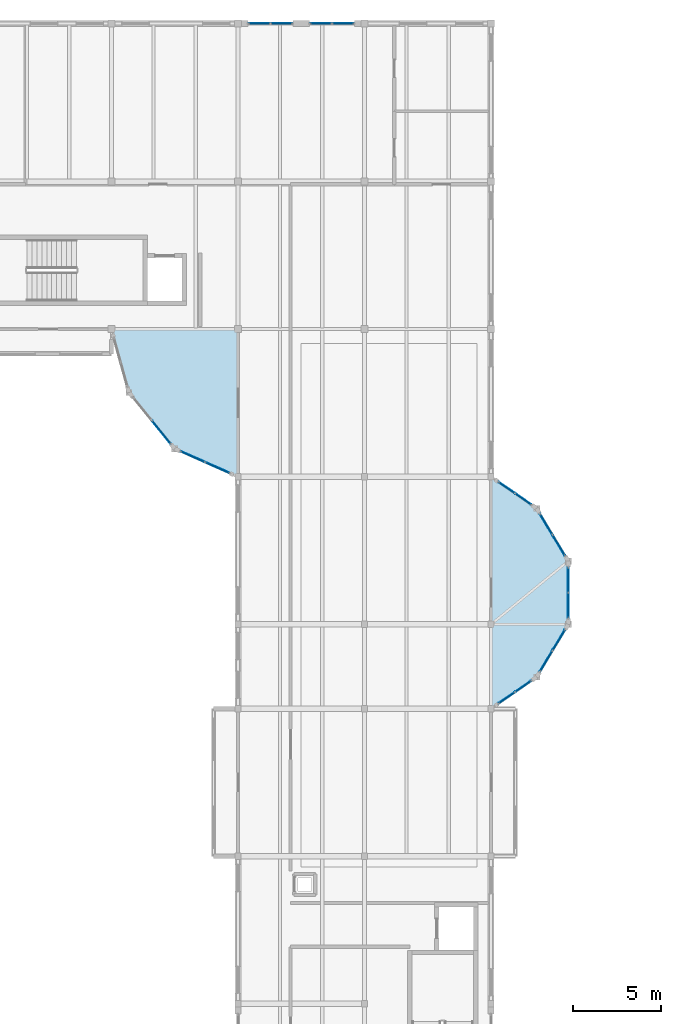
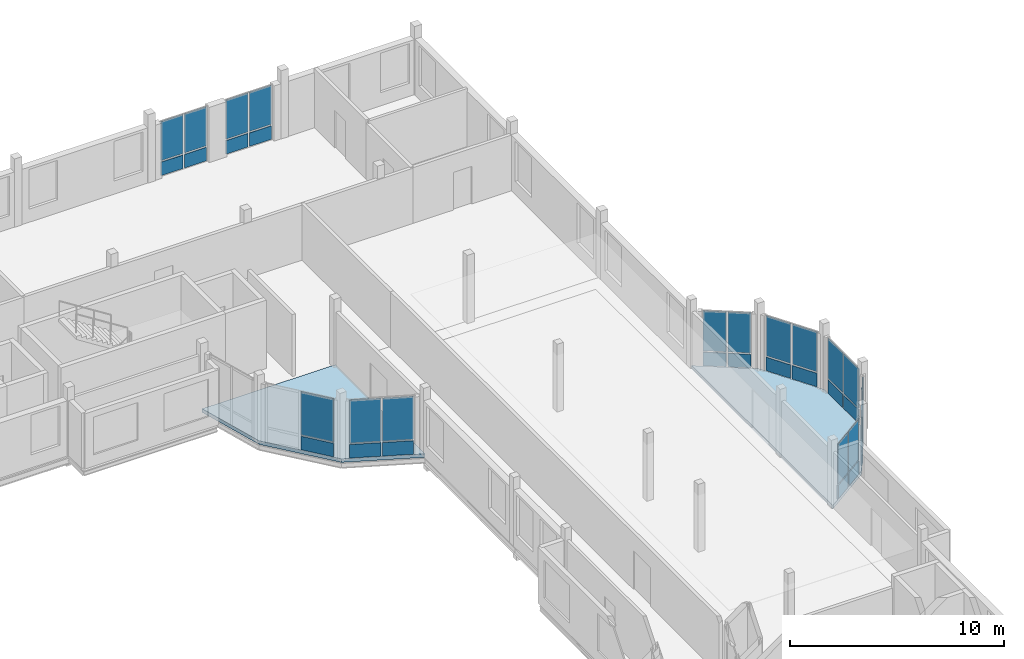
# One storey, part 26 of 57: 34 plates, 2 slabs, 9 elements without a shape of their own.
"""IFC4 building model written with IfcOpenShell, lengths in metres."""

from ifc_helpers import new_model, si_unit, direction, frame, origin, origin_2d, place, context, subcontext, project, spatial, polyline, rectangle, outline, extrude, material, layer, layer_set, type_object, element, aggregate, save


model = new_model("IFC4")

# Units and contexts
model_context = context("Model", 3, precision=1e-05, world=origin(), true_north=direction((0.0, 1.0)))
body_context = subcontext(model_context, "Body", "Model", "MODEL_VIEW")
ifc_project = project(units=[si_unit("LENGTHUNIT", "METRE"), si_unit("AREAUNIT", "SQUARE_METRE"), si_unit("VOLUMEUNIT", "CUBIC_METRE"), si_unit("PLANEANGLEUNIT", "RADIAN"), si_unit("MASSUNIT", "GRAM", prefix="KILO")], contexts=[model_context])

# Site, building, storey
site_placement = place(None, origin())
site = spatial("IfcSite", under=ifc_project, at=site_placement, CompositionType="ELEMENT")
building_placement = place(site_placement, origin())
building = spatial("IfcBuilding", under=site, at=building_placement, Name="Kahlenmark Community Centre", CompositionType="ELEMENT")
storey_placement = place(building_placement, frame((0.0, 0.0, 13.800048828125)))
storey = spatial("IfcBuildingStorey", under=building, at=storey_placement, Name="L03", CompositionType="ELEMENT", Elevation=13.800048828125)

# Curtain wall, plates
ifc_material_1 = material(Name="Anodised aluminium unitised curtain wall", Category="aluminium")
curtain_wall_type_1 = type_object("IfcCurtainWallType", Name="CWT-UNIT-232X320", PredefinedType="USERDEFINED", material=ifc_material_1)
curtain_wall_1_placement = place(storey_placement, origin())
curtain_wall_1 = element("IfcCurtainWall", 1, at=curtain_wall_1_placement, inside=storey, type_object=curtain_wall_type_1, Name="Unitised curtain wall CW-161", ObjectType="UNITISED CURTAIN WALL", PredefinedType="USERDEFINED")
ifc_material_2 = material(Name="Triple low-e solar-control glass unit", Category="glass")
ifc_layer_1 = layer(ifc_material_2, 0.0439453125)
ifc_layer_set_1 = layer_set([ifc_layer_1], Name="Triple low-e solar-control glass unit")
plate_type_1 = type_object("IfcPlateType", Name="PLT-CW-GLZ-1081X2270", PredefinedType="CURTAIN_PANEL", material=ifc_layer_set_1)
plate_1_placement = place(storey_placement, frame((87.6884765625, 76.614990234375, 0.889892578125), z_axis=(0.0, 0.0, 1.0), x_axis=(0.822190736534, 0.56921208065, 0.0)))
plate_1 = element("IfcPlate", 2, at=plate_1_placement, type_object=plate_type_1, Name="CW-161 glazed panel 1", PredefinedType="CURTAIN_PANEL", context=body_context, shape_type="SweptSolid", body=[
    extrude(rectangle(XDim=1.081298828125, YDim=0.0439453125, at=origin_2d()), origin(), (0.0, 0.0, 1.0), 2.27001953125),
])
plate_2_placement = place(storey_placement, frame((88.643310546875, 77.27587890625, 0.889892578125), z_axis=(0.0, 0.0, 1.0), x_axis=(0.822190736534, 0.56921208065, 0.0)))
plate_2 = element("IfcPlate", 3, at=plate_2_placement, type_object=plate_type_1, Name="CW-161 glazed panel 2", PredefinedType="CURTAIN_PANEL", context=body_context, shape_type="SweptSolid", body=[
    extrude(rectangle(XDim=1.081298828125, YDim=0.0439453125, at=origin_2d()), origin(), (0.0, 0.0, 1.0), 2.27001953125),
])

curtain_wall_2_placement = place(storey_placement, origin())
curtain_wall_2 = element("IfcCurtainWall", 4, at=curtain_wall_2_placement, inside=storey, type_object=curtain_wall_type_1, Name="Unitised curtain wall CW-165", ObjectType="UNITISED CURTAIN WALL", PredefinedType="USERDEFINED")
plate_3_placement = place(storey_placement, frame((88.643310546875, 87.924072265625, 0.889892578125), z_axis=(0.0, 0.0, 1.0), x_axis=(-0.822190736534, 0.56921208065, 0.0)))
plate_3 = element("IfcPlate", 5, at=plate_3_placement, type_object=plate_type_1, Name="CW-165 glazed panel 1", PredefinedType="CURTAIN_PANEL", context=body_context, shape_type="SweptSolid", body=[
    extrude(rectangle(XDim=1.081298828125, YDim=0.0439453125, at=origin_2d()), origin(), (0.0, 0.0, 1.0), 2.27001953125),
])
plate_4_placement = place(storey_placement, frame((87.6884765625, 88.5849609375, 0.889892578125), z_axis=(0.0, 0.0, 1.0), x_axis=(-0.822190736534, 0.56921208065, 0.0)))
plate_4 = element("IfcPlate", 6, at=plate_4_placement, type_object=plate_type_1, Name="CW-165 glazed panel 2", PredefinedType="CURTAIN_PANEL", context=body_context, shape_type="SweptSolid", body=[
    extrude(rectangle(XDim=1.081298828125, YDim=0.0439453125, at=origin_2d()), origin(), (0.0, 0.0, 1.0), 2.27001953125),
])

curtain_wall_type_2 = type_object("IfcCurtainWallType", Name="CWT-UNIT-254X315", PredefinedType="USERDEFINED", material=ifc_material_1)
curtain_wall_3_placement = place(storey_placement, origin())
curtain_wall_3 = element("IfcCurtainWall", 7, at=curtain_wall_3_placement, inside=storey, type_object=curtain_wall_type_2, Name="Unitised curtain wall CW-121", ObjectType="UNITISED CURTAIN WALL", PredefinedType="USERDEFINED")
ifc_layer_2 = layer(ifc_material_2, 0.0439453125)
ifc_layer_set_2 = layer_set([ifc_layer_2], Name="Triple low-e solar-control glass unit")
plate_type_2 = type_object("IfcPlateType", Name="PLT-CW-GLZ-1190X2220", PredefinedType="CURTAIN_PANEL", material=ifc_layer_set_2)
plate_5_placement = place(storey_placement, frame((78.385009765625, 115.0, 0.89013671875), z_axis=(0.0, 0.0, 1.0), x_axis=(-1.0, 0.0, 0.0)))
plate_5 = element("IfcPlate", 8, at=plate_5_placement, type_object=plate_type_2, Name="CW-121 glazed panel 1", PredefinedType="CURTAIN_PANEL", context=body_context, shape_type="SweptSolid", body=[
    extrude(rectangle(XDim=1.18994140625, YDim=0.0439453125, at=origin_2d()), origin(), (0.0, 0.0, 1.0), 2.219970703125),
])
plate_6_placement = place(storey_placement, frame((77.114990234375, 115.0, 0.89013671875), z_axis=(0.0, 0.0, 1.0), x_axis=(-1.0, 0.0, 0.0)))
plate_6 = element("IfcPlate", 9, at=plate_6_placement, type_object=plate_type_2, Name="CW-121 glazed panel 2", PredefinedType="CURTAIN_PANEL", context=body_context, shape_type="SweptSolid", body=[
    extrude(rectangle(XDim=1.18994140625, YDim=0.0439453125, at=origin_2d()), origin(), (0.0, 0.0, 1.0), 2.219970703125),
])

curtain_wall_4_placement = place(storey_placement, origin())
curtain_wall_4 = element("IfcCurtainWall", 10, at=curtain_wall_4_placement, inside=storey, type_object=curtain_wall_type_2, Name="Unitised curtain wall CW-122", ObjectType="UNITISED CURTAIN WALL", PredefinedType="USERDEFINED")
plate_7_placement = place(storey_placement, frame((74.885009765625, 115.0, 0.89013671875), z_axis=(0.0, 0.0, 1.0), x_axis=(-1.0, 0.0, 0.0)))
plate_7 = element("IfcPlate", 11, at=plate_7_placement, type_object=plate_type_2, Name="CW-122 glazed panel 1", PredefinedType="CURTAIN_PANEL", context=body_context, shape_type="SweptSolid", body=[
    extrude(rectangle(XDim=1.18994140625, YDim=0.0439453125, at=origin_2d()), origin(), (0.0, 0.0, 1.0), 2.219970703125),
])
plate_8_placement = place(storey_placement, frame((73.614990234375, 115.0, 0.89013671875), z_axis=(0.0, 0.0, 1.0), x_axis=(-1.0, 0.0, 0.0)))
plate_8 = element("IfcPlate", 12, at=plate_8_placement, type_object=plate_type_2, Name="CW-122 glazed panel 2", PredefinedType="CURTAIN_PANEL", context=body_context, shape_type="SweptSolid", body=[
    extrude(rectangle(XDim=1.18994140625, YDim=0.0439453125, at=origin_2d()), origin(), (0.0, 0.0, 1.0), 2.219970703125),
])

curtain_wall_type_3 = type_object("IfcCurtainWallType", Name="CWT-UNIT-282X320", PredefinedType="USERDEFINED", material=ifc_material_1)
curtain_wall_5_placement = place(storey_placement, origin())
curtain_wall_5 = element("IfcCurtainWall", 13, at=curtain_wall_5_placement, inside=storey, type_object=curtain_wall_type_3, Name="Unitised curtain wall CW-162", ObjectType="UNITISED CURTAIN WALL", PredefinedType="USERDEFINED")
ifc_layer_3 = layer(ifc_material_2, 0.0439453125)
ifc_layer_set_3 = layer_set([ifc_layer_3], Name="Triple low-e solar-control glass unit")
plate_type_3 = type_object("IfcPlateType", Name="PLT-CW-GLZ-1329X2270", PredefinedType="CURTAIN_PANEL", material=ifc_layer_set_3)
plate_9_placement = place(storey_placement, frame((89.9375, 78.69580078125, 0.889892578125), z_axis=(0.0, 0.0, 1.0), x_axis=(0.514496405972, 0.857492535386, 0.0)))
plate_9 = element("IfcPlate", 14, at=plate_9_placement, type_object=plate_type_3, Name="CW-162 glazed panel 1", PredefinedType="CURTAIN_PANEL", context=body_context, shape_type="SweptSolid", body=[
    extrude(rectangle(XDim=1.329345703125, YDim=0.0439453125, at=origin_2d()), origin(), (0.0, 0.0, 1.0), 2.27001953125),
])
plate_10_placement = place(storey_placement, frame((90.66259765625, 79.904296875, 0.889892578125), z_axis=(0.0, 0.0, 1.0), x_axis=(0.514496405972, 0.857492535386, 0.0)))
plate_10 = element("IfcPlate", 15, at=plate_10_placement, type_object=plate_type_3, Name="CW-162 glazed panel 2", PredefinedType="CURTAIN_PANEL", context=body_context, shape_type="SweptSolid", body=[
    extrude(rectangle(XDim=1.329345703125, YDim=0.0439453125, at=origin_2d()), origin(), (0.0, 0.0, 1.0), 2.27001953125),
])

curtain_wall_6_placement = place(storey_placement, origin())
curtain_wall_6 = element("IfcCurtainWall", 16, at=curtain_wall_6_placement, inside=storey, type_object=curtain_wall_type_3, Name="Unitised curtain wall CW-164", ObjectType="UNITISED CURTAIN WALL", PredefinedType="USERDEFINED")
plate_11_placement = place(storey_placement, frame((90.66259765625, 85.295654296875, 0.889892578125), z_axis=(0.0, 0.0, 1.0), x_axis=(-0.514496405972, 0.857492535386, 0.0)))
plate_11 = element("IfcPlate", 17, at=plate_11_placement, type_object=plate_type_3, Name="CW-164 glazed panel 1", PredefinedType="CURTAIN_PANEL", context=body_context, shape_type="SweptSolid", body=[
    extrude(rectangle(XDim=1.329345703125, YDim=0.0439453125, at=origin_2d()), origin(), (0.0, 0.0, 1.0), 2.27001953125),
])
plate_12_placement = place(storey_placement, frame((89.9375, 86.504150390625, 0.889892578125), z_axis=(0.0, 0.0, 1.0), x_axis=(-0.514496405972, 0.857492535386, 0.0)))
plate_12 = element("IfcPlate", 18, at=plate_12_placement, type_object=plate_type_3, Name="CW-164 glazed panel 2", PredefinedType="CURTAIN_PANEL", context=body_context, shape_type="SweptSolid", body=[
    extrude(rectangle(XDim=1.329345703125, YDim=0.0439453125, at=origin_2d()), origin(), (0.0, 0.0, 1.0), 2.27001953125),
])

curtain_wall_type_4 = type_object("IfcCurtainWallType", Name="CWT-UNIT-292X320", PredefinedType="USERDEFINED", material=ifc_material_1)
curtain_wall_7_placement = place(storey_placement, origin())
curtain_wall_7 = element("IfcCurtainWall", 19, at=curtain_wall_7_placement, inside=storey, type_object=curtain_wall_type_4, Name="Unitised curtain wall CW-163", ObjectType="UNITISED CURTAIN WALL", PredefinedType="USERDEFINED")
ifc_layer_4 = layer(ifc_material_2, 0.0439453125)
ifc_layer_set_4 = layer_set([ifc_layer_4], Name="Triple low-e solar-control glass unit")
plate_type_4 = type_object("IfcPlateType", Name="PLT-CW-GLZ-1380X2270", PredefinedType="CURTAIN_PANEL", material=ifc_layer_set_4)
plate_13_placement = place(storey_placement, frame((91.199951171875, 81.8701171875, 0.889892578125), z_axis=(0.0, 0.0, 1.0), x_axis=(0.0, 1.0, 0.0)))
plate_13 = element("IfcPlate", 20, at=plate_13_placement, type_object=plate_type_4, Name="CW-163 glazed panel 1", PredefinedType="CURTAIN_PANEL", context=body_context, shape_type="SweptSolid", body=[
    extrude(rectangle(XDim=1.3798828125, YDim=0.0439453125, at=origin_2d()), origin(), (0.0, 0.0, 1.0), 2.27001953125),
])
plate_14_placement = place(storey_placement, frame((91.199951171875, 83.330078125, 0.889892578125), z_axis=(0.0, 0.0, 1.0), x_axis=(0.0, 1.0, 0.0)))
plate_14 = element("IfcPlate", 21, at=plate_14_placement, type_object=plate_type_4, Name="CW-163 glazed panel 2", PredefinedType="CURTAIN_PANEL", context=body_context, shape_type="SweptSolid", body=[
    extrude(rectangle(XDim=1.3798828125, YDim=0.0439453125, at=origin_2d()), origin(), (0.0, 0.0, 1.0), 2.27001953125),
])

curtain_wall_type_5 = type_object("IfcCurtainWallType", Name="CWT-UNIT-310X337", PredefinedType="USERDEFINED", material=ifc_material_1)
curtain_wall_8_placement = place(storey_placement, origin())
curtain_wall_8 = element("IfcCurtainWall", 22, at=curtain_wall_8_placement, inside=storey, type_object=curtain_wall_type_5, Name="Unitised curtain wall CW-184", ObjectType="UNITISED CURTAIN WALL", PredefinedType="USERDEFINED")
ifc_layer_5 = layer(ifc_material_2, 0.0439453125)
ifc_layer_set_5 = layer_set([ifc_layer_5], Name="Triple low-e solar-control glass unit")
plate_type_5 = type_object("IfcPlateType", Name="PLT-CW-GLZ-1470X2440", PredefinedType="CURTAIN_PANEL", material=ifc_layer_set_5)
plate_15_placement = place(storey_placement, frame((69.81884765625, 90.34716796875, 0.889892578125), z_axis=(0.0, 0.0, 1.0), x_axis=(0.913817141143, -0.406125882643, 0.0)))
plate_15 = element("IfcPlate", 23, at=plate_15_placement, type_object=plate_type_5, Name="CW-184 glazed panel 1", PredefinedType="CURTAIN_PANEL", context=body_context, shape_type="SweptSolid", body=[
    extrude(rectangle(XDim=1.4697265625, YDim=0.0439453125, at=origin_2d()), origin(), (0.0, 0.0, 1.0), 2.43994140625),
])
plate_16_placement = place(storey_placement, frame((71.235107421875, 89.7177734375, 0.889892578125), z_axis=(0.0, 0.0, 1.0), x_axis=(0.913817141143, -0.406125882643, 0.0)))
plate_16 = element("IfcPlate", 24, at=plate_16_placement, type_object=plate_type_5, Name="CW-184 glazed panel 2", PredefinedType="CURTAIN_PANEL", context=body_context, shape_type="SweptSolid", body=[
    extrude(rectangle(XDim=1.4697265625, YDim=0.0439453125, at=origin_2d()), origin(), (0.0, 0.0, 1.0), 2.43994140625),
])

# Curtain wall, plate
curtain_wall_type_6 = type_object("IfcCurtainWallType", Name="CWT-UNIT-344X337", PredefinedType="USERDEFINED", material=ifc_material_1)
curtain_wall_9_placement = place(storey_placement, origin())
curtain_wall_9 = element("IfcCurtainWall", 25, at=curtain_wall_9_placement, inside=storey, type_object=curtain_wall_type_6, Name="Unitised curtain wall CW-183", ObjectType="UNITISED CURTAIN WALL", PredefinedType="USERDEFINED")
ifc_layer_6 = layer(ifc_material_2, 0.0439453125)
ifc_layer_set_6 = layer_set([ifc_layer_6], Name="Triple low-e solar-control glass unit")
plate_type_6 = type_object("IfcPlateType", Name="PLT-CW-GLZ-1642X2440", PredefinedType="CURTAIN_PANEL", material=ifc_layer_set_6)
plate_17_placement = place(storey_placement, frame((68.042724609375, 91.73193359375, 0.889892578125), z_axis=(0.0, 0.0, 1.0), x_axis=(0.63059860029, -0.776109145231, 0.0)))
plate_17 = element("IfcPlate", 26, at=plate_17_placement, type_object=plate_type_6, Name="CW-183 glazed panel 2", PredefinedType="CURTAIN_PANEL", context=body_context, shape_type="SweptSolid", body=[
    extrude(rectangle(XDim=1.6416015625, YDim=0.0439453125, at=origin_2d()), origin(), (0.0, 0.0, 1.0), 2.43994140625),
])

# Plate
ifc_material_3 = material(Name="Warm terracotta insulated spandrel cassette", Category="masonry")
ifc_layer_7 = layer(ifc_material_3, 0.06005859375)
ifc_layer_set_7 = layer_set([ifc_layer_7], Name="Warm terracotta insulated spandrel cassette")
plate_type_7 = type_object("IfcPlateType", Name="PLT-CW-SPD-1081X770", PredefinedType="CURTAIN_PANEL", material=ifc_layer_set_7)
plate_18_placement = place(storey_placement, frame((87.6884765625, 76.614990234375, 0.0400390625), z_axis=(0.0, 0.0, 1.0), x_axis=(0.822190736534, 0.56921208065, 0.0)))
plate_18 = element("IfcPlate", 27, at=plate_18_placement, type_object=plate_type_7, Name="CW-161 spandrel 1", PredefinedType="CURTAIN_PANEL", context=body_context, shape_type="SweptSolid", body=[
    extrude(rectangle(XDim=1.081298828125, YDim=0.06005859375, at=origin_2d()), origin(), (0.0, 0.0, 1.0), 0.77001953125),
])

plate_19_placement = place(storey_placement, frame((88.643310546875, 77.27587890625, 0.0400390625), z_axis=(0.0, 0.0, 1.0), x_axis=(0.822190736534, 0.56921208065, 0.0)))
plate_19 = element("IfcPlate", 28, at=plate_19_placement, type_object=plate_type_7, Name="CW-161 spandrel 2", PredefinedType="CURTAIN_PANEL", context=body_context, shape_type="SweptSolid", body=[
    extrude(rectangle(XDim=1.081298828125, YDim=0.06005859375, at=origin_2d()), origin(), (0.0, 0.0, 1.0), 0.77001953125),
])

aggregate(curtain_wall_1, [plate_18, plate_1, plate_19, plate_2])

plate_20_placement = place(storey_placement, frame((88.643310546875, 87.924072265625, 0.0400390625), z_axis=(0.0, 0.0, 1.0), x_axis=(-0.822190736534, 0.56921208065, 0.0)))
plate_20 = element("IfcPlate", 29, at=plate_20_placement, type_object=plate_type_7, Name="CW-165 spandrel 1", PredefinedType="CURTAIN_PANEL", context=body_context, shape_type="SweptSolid", body=[
    extrude(rectangle(XDim=1.081298828125, YDim=0.06005859375, at=origin_2d()), origin(), (0.0, 0.0, 1.0), 0.77001953125),
])

plate_21_placement = place(storey_placement, frame((87.6884765625, 88.5849609375, 0.0400390625), z_axis=(0.0, 0.0, 1.0), x_axis=(-0.822190736534, 0.56921208065, 0.0)))
plate_21 = element("IfcPlate", 30, at=plate_21_placement, type_object=plate_type_7, Name="CW-165 spandrel 2", PredefinedType="CURTAIN_PANEL", context=body_context, shape_type="SweptSolid", body=[
    extrude(rectangle(XDim=1.081298828125, YDim=0.06005859375, at=origin_2d()), origin(), (0.0, 0.0, 1.0), 0.77001953125),
])

aggregate(curtain_wall_2, [plate_20, plate_3, plate_21, plate_4])

ifc_layer_8 = layer(ifc_material_3, 0.06005859375)
ifc_layer_set_8 = layer_set([ifc_layer_8], Name="Warm terracotta insulated spandrel cassette")
plate_type_8 = type_object("IfcPlateType", Name="PLT-CW-SPD-1190X770", PredefinedType="CURTAIN_PANEL", material=ifc_layer_set_8)
plate_22_placement = place(storey_placement, frame((78.385009765625, 115.0, 0.0400390625), z_axis=(0.0, 0.0, 1.0), x_axis=(-1.0, 0.0, 0.0)))
plate_22 = element("IfcPlate", 31, at=plate_22_placement, type_object=plate_type_8, Name="CW-121 spandrel 1", PredefinedType="CURTAIN_PANEL", context=body_context, shape_type="SweptSolid", body=[
    extrude(rectangle(XDim=1.18994140625, YDim=0.06005859375, at=origin_2d()), origin(), (0.0, 0.0, 1.0), 0.77001953125),
])

plate_23_placement = place(storey_placement, frame((77.114990234375, 115.0, 0.0400390625), z_axis=(0.0, 0.0, 1.0), x_axis=(-1.0, 0.0, 0.0)))
plate_23 = element("IfcPlate", 32, at=plate_23_placement, type_object=plate_type_8, Name="CW-121 spandrel 2", PredefinedType="CURTAIN_PANEL", context=body_context, shape_type="SweptSolid", body=[
    extrude(rectangle(XDim=1.18994140625, YDim=0.06005859375, at=origin_2d()), origin(), (0.0, 0.0, 1.0), 0.77001953125),
])

aggregate(curtain_wall_3, [plate_22, plate_5, plate_23, plate_6])

plate_24_placement = place(storey_placement, frame((74.885009765625, 115.0, 0.0400390625), z_axis=(0.0, 0.0, 1.0), x_axis=(-1.0, 0.0, 0.0)))
plate_24 = element("IfcPlate", 33, at=plate_24_placement, type_object=plate_type_8, Name="CW-122 spandrel 1", PredefinedType="CURTAIN_PANEL", context=body_context, shape_type="SweptSolid", body=[
    extrude(rectangle(XDim=1.18994140625, YDim=0.06005859375, at=origin_2d()), origin(), (0.0, 0.0, 1.0), 0.77001953125),
])

plate_25_placement = place(storey_placement, frame((73.614990234375, 115.0, 0.0400390625), z_axis=(0.0, 0.0, 1.0), x_axis=(-1.0, 0.0, 0.0)))
plate_25 = element("IfcPlate", 34, at=plate_25_placement, type_object=plate_type_8, Name="CW-122 spandrel 2", PredefinedType="CURTAIN_PANEL", context=body_context, shape_type="SweptSolid", body=[
    extrude(rectangle(XDim=1.18994140625, YDim=0.06005859375, at=origin_2d()), origin(), (0.0, 0.0, 1.0), 0.77001953125),
])

aggregate(curtain_wall_4, [plate_24, plate_7, plate_25, plate_8])

ifc_layer_9 = layer(ifc_material_3, 0.06005859375)
ifc_layer_set_9 = layer_set([ifc_layer_9], Name="Warm terracotta insulated spandrel cassette")
plate_type_9 = type_object("IfcPlateType", Name="PLT-CW-SPD-1329X770", PredefinedType="CURTAIN_PANEL", material=ifc_layer_set_9)
plate_26_placement = place(storey_placement, frame((89.9375, 78.69580078125, 0.0400390625), z_axis=(0.0, 0.0, 1.0), x_axis=(0.514496405972, 0.857492535386, 0.0)))
plate_26 = element("IfcPlate", 35, at=plate_26_placement, type_object=plate_type_9, Name="CW-162 spandrel 1", PredefinedType="CURTAIN_PANEL", context=body_context, shape_type="SweptSolid", body=[
    extrude(rectangle(XDim=1.329345703125, YDim=0.06005859375, at=origin_2d()), origin(), (0.0, 0.0, 1.0), 0.77001953125),
])

plate_27_placement = place(storey_placement, frame((90.66259765625, 79.904296875, 0.0400390625), z_axis=(0.0, 0.0, 1.0), x_axis=(0.514496405972, 0.857492535386, 0.0)))
plate_27 = element("IfcPlate", 36, at=plate_27_placement, type_object=plate_type_9, Name="CW-162 spandrel 2", PredefinedType="CURTAIN_PANEL", context=body_context, shape_type="SweptSolid", body=[
    extrude(rectangle(XDim=1.329345703125, YDim=0.06005859375, at=origin_2d()), origin(), (0.0, 0.0, 1.0), 0.77001953125),
])

aggregate(curtain_wall_5, [plate_26, plate_9, plate_27, plate_10])

plate_28_placement = place(storey_placement, frame((90.66259765625, 85.295654296875, 0.0400390625), z_axis=(0.0, 0.0, 1.0), x_axis=(-0.514496405972, 0.857492535386, 0.0)))
plate_28 = element("IfcPlate", 37, at=plate_28_placement, type_object=plate_type_9, Name="CW-164 spandrel 1", PredefinedType="CURTAIN_PANEL", context=body_context, shape_type="SweptSolid", body=[
    extrude(rectangle(XDim=1.329345703125, YDim=0.06005859375, at=origin_2d()), origin(), (0.0, 0.0, 1.0), 0.77001953125),
])

plate_29_placement = place(storey_placement, frame((89.9375, 86.504150390625, 0.0400390625), z_axis=(0.0, 0.0, 1.0), x_axis=(-0.514496405972, 0.857492535386, 0.0)))
plate_29 = element("IfcPlate", 38, at=plate_29_placement, type_object=plate_type_9, Name="CW-164 spandrel 2", PredefinedType="CURTAIN_PANEL", context=body_context, shape_type="SweptSolid", body=[
    extrude(rectangle(XDim=1.329345703125, YDim=0.06005859375, at=origin_2d()), origin(), (0.0, 0.0, 1.0), 0.77001953125),
])

aggregate(curtain_wall_6, [plate_28, plate_11, plate_29, plate_12])

ifc_layer_10 = layer(ifc_material_3, 0.06005859375)
ifc_layer_set_10 = layer_set([ifc_layer_10], Name="Warm terracotta insulated spandrel cassette")
plate_type_10 = type_object("IfcPlateType", Name="PLT-CW-SPD-1380X770", PredefinedType="CURTAIN_PANEL", material=ifc_layer_set_10)
plate_30_placement = place(storey_placement, frame((91.199951171875, 81.8701171875, 0.0400390625), z_axis=(0.0, 0.0, 1.0), x_axis=(0.0, 1.0, 0.0)))
plate_30 = element("IfcPlate", 39, at=plate_30_placement, type_object=plate_type_10, Name="CW-163 spandrel 1", PredefinedType="CURTAIN_PANEL", context=body_context, shape_type="SweptSolid", body=[
    extrude(rectangle(XDim=1.3798828125, YDim=0.06005859375, at=origin_2d()), origin(), (0.0, 0.0, 1.0), 0.77001953125),
])

plate_31_placement = place(storey_placement, frame((91.199951171875, 83.330078125, 0.0400390625), z_axis=(0.0, 0.0, 1.0), x_axis=(0.0, 1.0, 0.0)))
plate_31 = element("IfcPlate", 40, at=plate_31_placement, type_object=plate_type_10, Name="CW-163 spandrel 2", PredefinedType="CURTAIN_PANEL", context=body_context, shape_type="SweptSolid", body=[
    extrude(rectangle(XDim=1.3798828125, YDim=0.06005859375, at=origin_2d()), origin(), (0.0, 0.0, 1.0), 0.77001953125),
])

aggregate(curtain_wall_7, [plate_30, plate_13, plate_31, plate_14])

ifc_layer_11 = layer(ifc_material_3, 0.06005859375)
ifc_layer_set_11 = layer_set([ifc_layer_11], Name="Warm terracotta insulated spandrel cassette")
plate_type_11 = type_object("IfcPlateType", Name="PLT-CW-SPD-1470X770", PredefinedType="CURTAIN_PANEL", material=ifc_layer_set_11)
plate_32_placement = place(storey_placement, frame((69.81884765625, 90.34716796875, 0.0400390625), z_axis=(0.0, 0.0, 1.0), x_axis=(0.913817141143, -0.406125882643, 0.0)))
plate_32 = element("IfcPlate", 41, at=plate_32_placement, type_object=plate_type_11, Name="CW-184 spandrel 1", PredefinedType="CURTAIN_PANEL", context=body_context, shape_type="SweptSolid", body=[
    extrude(rectangle(XDim=1.4697265625, YDim=0.06005859375, at=origin_2d()), origin(), (0.0, 0.0, 1.0), 0.77001953125),
])

plate_33_placement = place(storey_placement, frame((71.235107421875, 89.7177734375, 0.0400390625), z_axis=(0.0, 0.0, 1.0), x_axis=(0.913817141143, -0.406125882643, 0.0)))
plate_33 = element("IfcPlate", 42, at=plate_33_placement, type_object=plate_type_11, Name="CW-184 spandrel 2", PredefinedType="CURTAIN_PANEL", context=body_context, shape_type="SweptSolid", body=[
    extrude(rectangle(XDim=1.4697265625, YDim=0.06005859375, at=origin_2d()), origin(), (0.0, 0.0, 1.0), 0.77001953125),
])

aggregate(curtain_wall_8, [plate_32, plate_15, plate_33, plate_16])

ifc_layer_12 = layer(ifc_material_3, 0.06005859375)
ifc_layer_set_12 = layer_set([ifc_layer_12], Name="Warm terracotta insulated spandrel cassette")
plate_type_12 = type_object("IfcPlateType", Name="PLT-CW-SPD-1642X770", PredefinedType="CURTAIN_PANEL", material=ifc_layer_set_12)
plate_34_placement = place(storey_placement, frame((68.042724609375, 91.73193359375, 0.0400390625), z_axis=(0.0, 0.0, 1.0), x_axis=(0.63059860029, -0.776109145231, 0.0)))
plate_34 = element("IfcPlate", 43, at=plate_34_placement, type_object=plate_type_12, Name="CW-183 spandrel 2", PredefinedType="CURTAIN_PANEL", context=body_context, shape_type="SweptSolid", body=[
    extrude(rectangle(XDim=1.6416015625, YDim=0.06005859375, at=origin_2d()), origin(), (0.0, 0.0, 1.0), 0.77001953125),
])

aggregate(curtain_wall_9, [plate_34, plate_17])

# Slabs
ifc_material_4 = material(Name="Cross-laminated timber CLT C24", Category="wood")
ifc_layer_13 = layer(ifc_material_4, 0.199951171875)
ifc_layer_set_13 = layer_set([ifc_layer_13], Name="Cross-laminated timber CLT C24")
slab_type = type_object("IfcSlabType", Name="ST-FL-CLT200", PredefinedType="FLOOR", material=ifc_layer_set_13)
slab_1_placement = place(storey_placement, frame((0.0, 0.0, -0.199951171875)))
element("IfcSlab", 44, at=slab_1_placement, inside=storey, type_object=slab_type, Name="L03 East Square Postmodern Library Reading Rotunda floor slab", PredefinedType="FLOOR", context=body_context, shape_type="SweptSolid", body=[
    extrude(outline(polyline([(86.800048828125, 76.0), (89.39990234375, 77.800048828125), (91.199951171875, 80.800048828125), (91.199951171875, 84.39990234375), (89.39990234375, 87.39990234375), (86.800048828125, 89.199951171875), (86.800048828125, 76.0)])), origin(), (0.0, 0.0, 1.0), 0.199951171875),
])
slab_2_placement = place(storey_placement, frame((0.0, 0.0, -0.199951171875)))
element("IfcSlab", 45, at=slab_2_placement, inside=storey, type_object=slab_type, Name="L03 Central Courtyard Postmodern Faceted Rotunda Foyer floor slab", PredefinedType="FLOOR", context=body_context, shape_type="SweptSolid", body=[
    extrude(outline(polyline([(65.199951171875, 97.60009765625), (66.199951171875, 94.0), (68.800048828125, 90.800048828125), (72.39990234375, 89.199951171875), (72.39990234375, 97.60009765625), (65.199951171875, 97.60009765625)])), origin(), (0.0, 0.0, 1.0), 0.199951171875),
])

save(model, "model.ifc")
